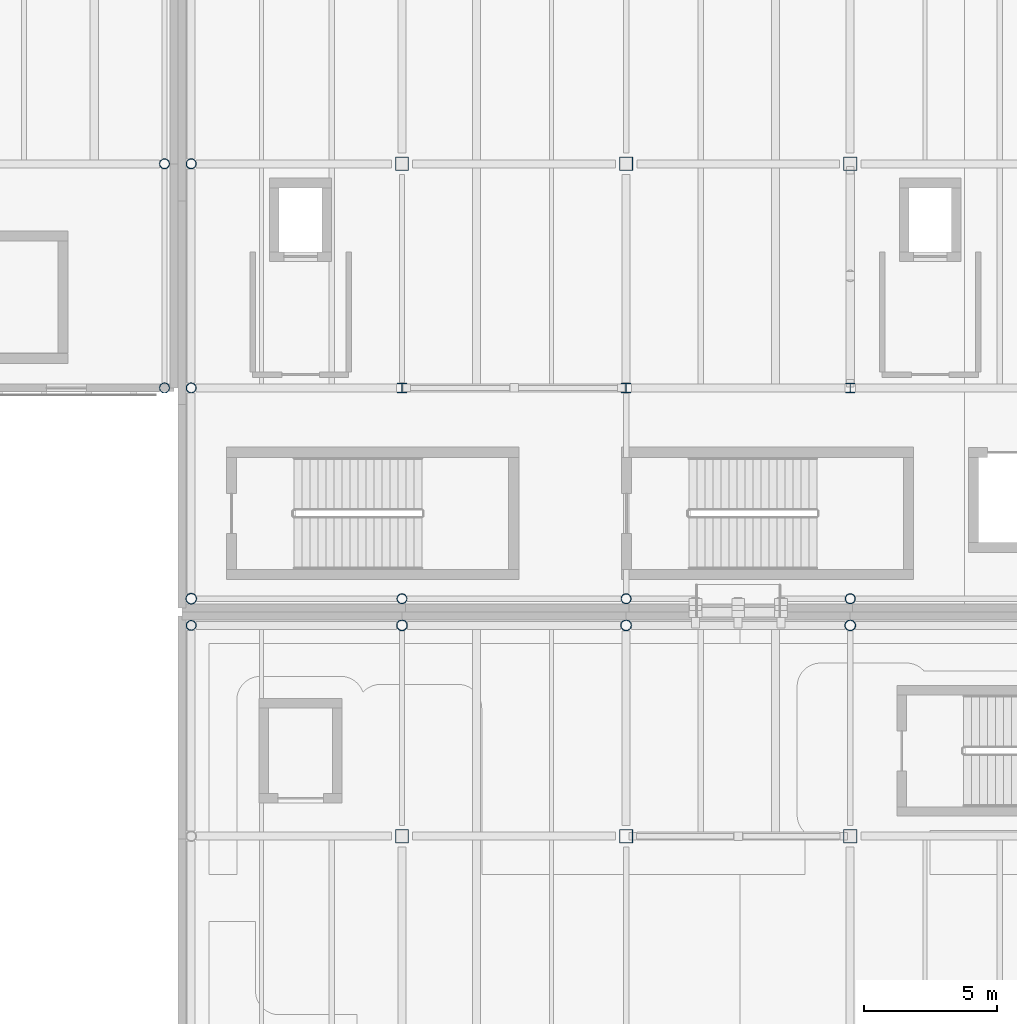
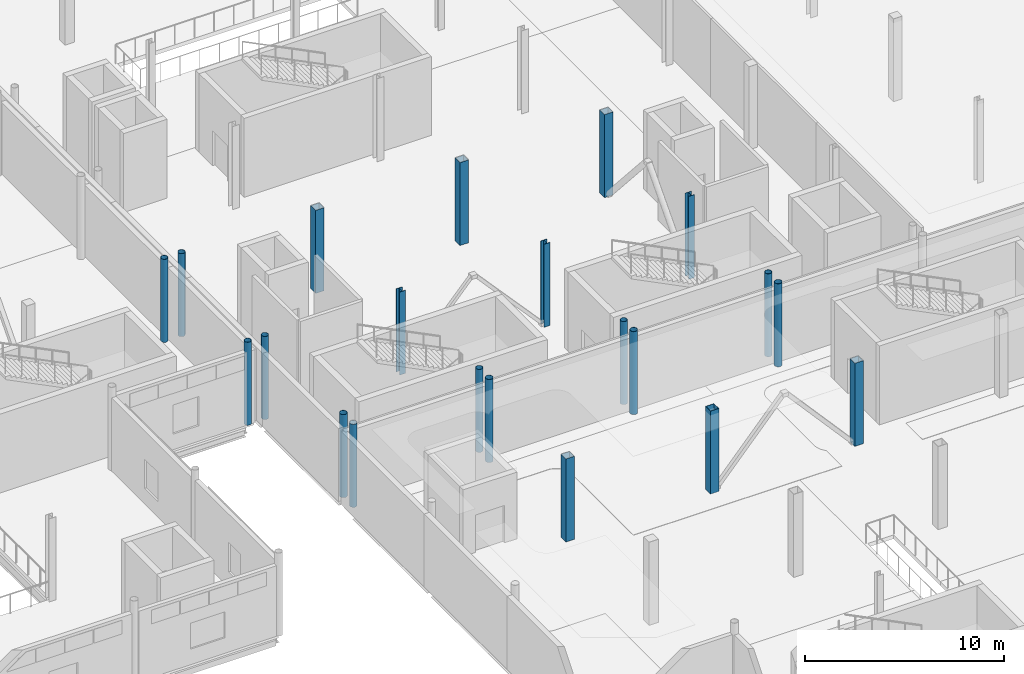
# One storey, part 5 of 104: 21 columns.
"""IFC4 building model written with IfcOpenShell, lengths in metres."""

from ifc_helpers import new_model, si_unit, direction, frame, origin, origin_2d, place, context, subcontext, project, spatial, hollow_rectangle, hollow_circle, i_section, extrude, material, material_profile, profile_set, type_object, element, save


model = new_model("IFC4")

# Units and contexts
model_context = context("Model", 3, precision=1e-05, world=origin(), true_north=direction((0.0, 1.0)))
body_context = subcontext(model_context, "Body", "Model", "MODEL_VIEW")
ifc_project = project(units=[si_unit("LENGTHUNIT", "METRE"), si_unit("AREAUNIT", "SQUARE_METRE"), si_unit("VOLUMEUNIT", "CUBIC_METRE"), si_unit("PLANEANGLEUNIT", "RADIAN"), si_unit("MASSUNIT", "GRAM", prefix="KILO"), si_unit("THERMODYNAMICTEMPERATUREUNIT", "KELVIN")], contexts=[model_context])

# Site, building, storey
site_placement = place(None, origin())
site = spatial("IfcSite", under=ifc_project, at=site_placement, CompositionType="ELEMENT")
building_placement = place(site_placement, origin())
building = spatial("IfcBuilding", under=site, at=building_placement, Name="Lustrewick Department Store", CompositionType="ELEMENT")
storey_placement = place(building_placement, frame((0.0, 0.0, 11.39990234375)))
storey = spatial("IfcBuildingStorey", under=building, at=storey_placement, Name="L03", CompositionType="ELEMENT", Elevation=11.39990234375)

# Columns
ifc_material_1 = material(Name="Structural steel Q355B", Category="steel")
ifc_material_profile_1 = material_profile(ifc_material_1, hollow_rectangle(XDim=0.5, YDim=0.5, WallThickness=0.02001953125, at=origin_2d()), Name="BOX 500x500x20")
ifc_profile_set_1 = profile_set([ifc_material_profile_1], Name="Structural steel Q355B")
column_type_1 = type_object("IfcColumnType", Name="C06", PredefinedType="COLUMN", material=ifc_profile_set_1)
for number, where, z_axis, x_axis, name in (
    (1, (117.60009765625, 42.0, 0.0), (0.0, 0.0, 1.0), (1.0, 0.0, 0.0), "L03 V3 Column C06"),
    (2, (126.0, 42.0, 0.0), (0.0, 0.0, 1.0), (1.0, 0.0, 0.0), "L03 V3 Column C06"),
    (3, (134.39990234375, 42.0, 0.0), (0.0, 0.0, 1.0), (1.0, 0.0, 0.0), "L03 V3 Column C06"),
    (4, (117.60009765625, 67.199951171875, 0.0), (0.0, 0.0, 1.0), (1.0, 0.0, 0.0), "L03 V4 Column C06"),
    (5, (126.0, 67.199951171875, 0.0), (0.0, 0.0, 1.0), (1.0, 0.0, 0.0), "L03 V4 Column C06"),
    (6, (134.39990234375, 67.199951171875, 0.0), (0.0, 0.0, 1.0), (1.0, 0.0, 0.0), "L03 V4 Column C06"),
):
    element("IfcColumn", number, at=place(storey_placement, frame(where, z_axis=z_axis, x_axis=x_axis)), inside=storey, type_object=column_type_1, Name=name, PredefinedType="COLUMN", context=body_context, shape_type="SweptSolid", body=[
        extrude(hollow_rectangle(XDim=0.5, YDim=0.5, WallThickness=0.02001953125, at=origin_2d()), origin(), (0.0, 0.0, 1.0), 5.10009765625),
    ])
ifc_material_profile_2 = material_profile(ifc_material_1, i_section(OverallWidth=0.35009765625, OverallDepth=0.35009765625, WebThickness=0.011962890625, FlangeThickness=0.01904296875, FilletRadius=0.02001953125, at=origin_2d()), Name="HW 350x350x12x19")
ifc_profile_set_2 = profile_set([ifc_material_profile_2], Name="Structural steel Q355B")
column_type_2 = type_object("IfcColumnType", Name="C13", PredefinedType="COLUMN", material=ifc_profile_set_2)
for number, where, z_axis, x_axis, name in (
    (7, (117.60009765625, 58.800048828125, 0.0), (0.0, 0.0, 1.0), (1.0, 0.0, 0.0), "L03 V4 Column C13"),
    (8, (126.0, 58.800048828125, 0.0), (0.0, 0.0, 1.0), (1.0, 0.0, 0.0), "L03 V4 Column C13"),
    (9, (134.39990234375, 58.800048828125, 0.0), (0.0, 0.0, 1.0), (1.0, 0.0, 0.0), "L03 V4 Column C13"),
):
    element("IfcColumn", number, at=place(storey_placement, frame(where, z_axis=z_axis, x_axis=x_axis)), inside=storey, type_object=column_type_2, Name=name, PredefinedType="COLUMN", context=body_context, shape_type="SweptSolid", body=[
        extrude(i_section(OverallWidth=0.35009765625, OverallDepth=0.35009765625, WebThickness=0.011962890625, FlangeThickness=0.01904296875, FilletRadius=0.02001953125, at=origin_2d()), origin(), (0.0, 0.0, 1.0), 5.10009765625),
    ])
ifc_material_2 = material(Name="Structural steel Q355C", Category="steel")
ifc_material_profile_3 = material_profile(ifc_material_2, hollow_circle(Radius=0.202880859375, WallThickness=0.01611328125, at=origin_2d()), Name="CHS 406x16")
ifc_profile_set_3 = profile_set([ifc_material_profile_3], Name="Structural steel Q355C")
column_type_3 = type_object("IfcColumnType", Name="CE03", PredefinedType="COLUMN", material=ifc_profile_set_3)
for number, where, z_axis, x_axis, name in (
    (10, (117.60009765625, 49.89990234375, 0.0), (0.0, 0.0, 1.0), (1.0, 0.0, 0.0), "L03 V3 Column CE03"),
    (11, (126.0, 49.89990234375, 0.0), (0.0, 0.0, 1.0), (1.0, 0.0, 0.0), "L03 V3 Column CE03"),
    (12, (134.39990234375, 49.89990234375, 0.0), (0.0, 0.0, 1.0), (1.0, 0.0, 0.0), "L03 V3 Column CE03"),
    (13, (109.699951171875, 50.89990234375, 0.0), (0.0, 0.0, 1.0), (1.0, 0.0, 0.0), "L03 V4 Column CE03"),
):
    element("IfcColumn", number, at=place(storey_placement, frame(where, z_axis=z_axis, x_axis=x_axis)), inside=storey, type_object=column_type_3, Name=name, PredefinedType="COLUMN", context=body_context, shape_type="SweptSolid", body=[
        extrude(hollow_circle(Radius=0.202880859375, WallThickness=0.01611328125, at=origin_2d()), origin(), (0.0, 0.0, 1.0), 5.10009765625),
    ])
ifc_material_profile_4 = material_profile(ifc_material_1, hollow_circle(Radius=0.1884765625, WallThickness=0.013916015625, at=origin_2d()), Name="CHS 377x14")
ifc_profile_set_4 = profile_set([ifc_material_profile_4], Name="Structural steel Q355B")
column_type_4 = type_object("IfcColumnType", Name="CE04", PredefinedType="COLUMN", material=ifc_profile_set_4)
for number, where, z_axis, x_axis, name in (
    (14, (108.699951171875, 58.800048828125, 0.0), (0.0, 0.0, 1.0), (1.0, 0.0, 0.0), "L03 V2 Column CE04"),
    (15, (108.699951171875, 67.199951171875, 0.0), (0.0, 0.0, 1.0), (1.0, 0.0, 0.0), "L03 V2 Column CE04"),
    (16, (109.699951171875, 49.89990234375, 0.0), (0.0, 0.0, 1.0), (1.0, 0.0, 0.0), "L03 V3 Column CE04"),
    (17, (109.699951171875, 58.800048828125, 0.0), (0.0, 0.0, 1.0), (1.0, 0.0, 0.0), "L03 V4 Column CE04"),
    (18, (109.699951171875, 67.199951171875, 0.0), (0.0, 0.0, 1.0), (1.0, 0.0, 0.0), "L03 V4 Column CE04"),
    (19, (117.60009765625, 50.89990234375, 0.0), (0.0, 0.0, 1.0), (1.0, 0.0, 0.0), "L03 V4 Column CE04"),
    (20, (126.0, 50.89990234375, 0.0), (0.0, 0.0, 1.0), (1.0, 0.0, 0.0), "L03 V4 Column CE04"),
    (21, (134.39990234375, 50.89990234375, 0.0), (0.0, 0.0, 1.0), (1.0, 0.0, 0.0), "L03 V4 Column CE04"),
):
    element("IfcColumn", number, at=place(storey_placement, frame(where, z_axis=z_axis, x_axis=x_axis)), inside=storey, type_object=column_type_4, Name=name, PredefinedType="COLUMN", context=body_context, shape_type="SweptSolid", body=[
        extrude(hollow_circle(Radius=0.1884765625, WallThickness=0.013916015625, at=origin_2d()), origin(), (0.0, 0.0, 1.0), 5.10009765625),
    ])

save(model, "model.ifc")
